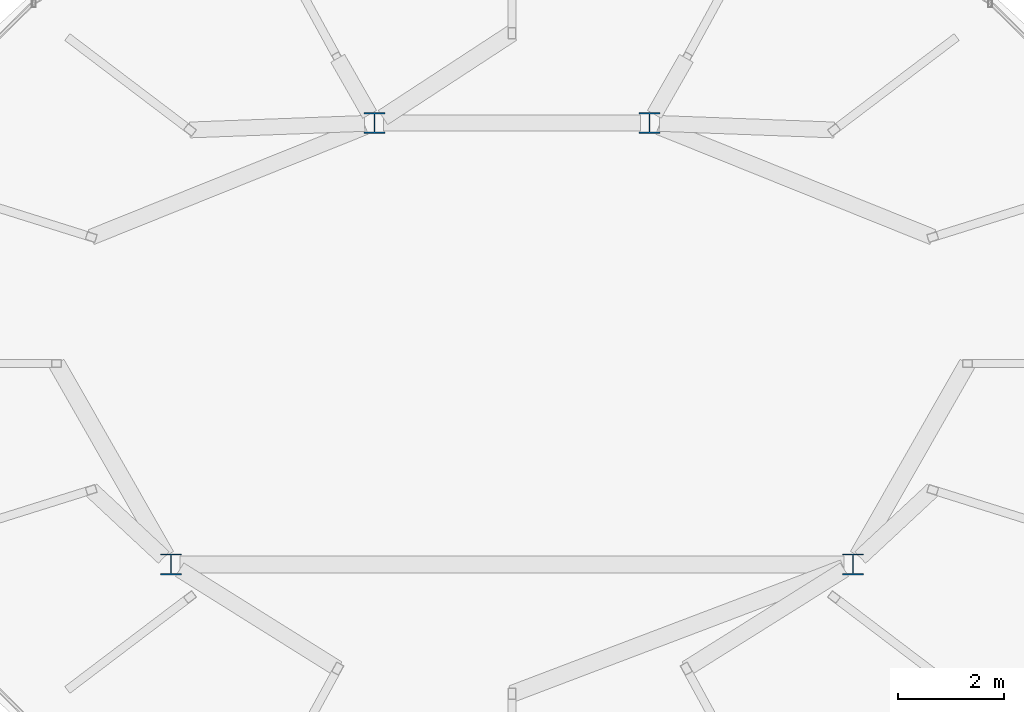
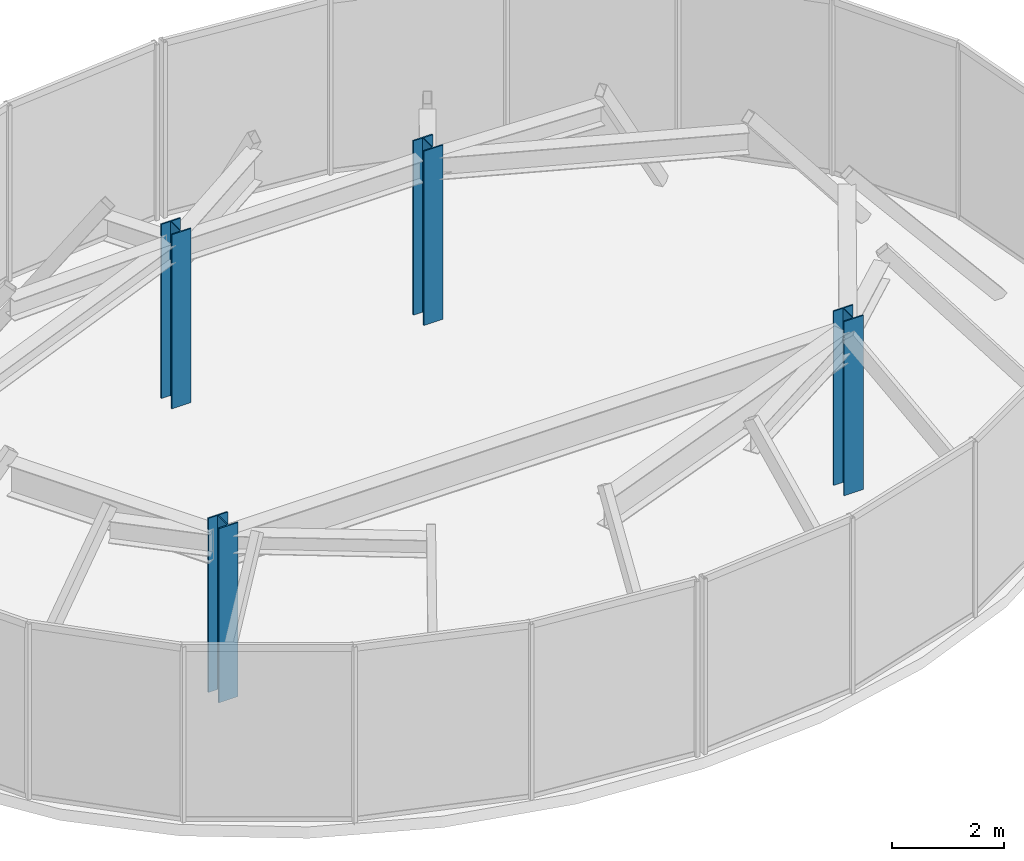
# One storey, part 1 of 10: 4 columns.
"""IFC4 building model written with IfcOpenShell, lengths in metres."""

from ifc_helpers import new_model, si_unit, direction, frame, origin, origin_2d, place, context, subcontext, project, spatial, i_section, extrude, material, material_profile, profile_set, type_object, element, save


model = new_model("IFC4")

# Units and contexts
model_context = context("Model", 3, precision=1e-05, world=origin(), true_north=direction((0.0, 1.0)))
body_context = subcontext(model_context, "Body", "Model", "MODEL_VIEW")
ifc_project = project(units=[si_unit("LENGTHUNIT", "METRE"), si_unit("AREAUNIT", "SQUARE_METRE"), si_unit("VOLUMEUNIT", "CUBIC_METRE"), si_unit("PLANEANGLEUNIT", "RADIAN"), si_unit("MASSUNIT", "GRAM", prefix="KILO")], contexts=[model_context])

# Site, building, storey
site_placement = place(None, origin())
site = spatial("IfcSite", under=ifc_project, at=site_placement, CompositionType="ELEMENT")
building_placement = place(site_placement, origin())
building = spatial("IfcBuilding", under=site, at=building_placement, Name="Vorneva Point Tower", CompositionType="ELEMENT")
storey_placement = place(building_placement, frame((0.0, 0.0, 306.800048828125)))
storey = spatial("IfcBuildingStorey", under=building, at=storey_placement, Name="C04", CompositionType="ELEMENT", Elevation=306.800048828125)

# Columns
ifc_material = material(Name="Steel S355", Category="steel")
ifc_material_profile = material_profile(ifc_material, i_section(OverallWidth=0.39990234375, OverallDepth=0.39990234375, WebThickness=0.01806640625, FlangeThickness=0.028076171875, at=origin_2d()), Name="40K4")
ifc_profile_set = profile_set([ifc_material_profile], Name="Steel S355")
column_type = type_object("IfcColumnType", Name="PIL-STL-40K4", PredefinedType="PILASTER", material=ifc_profile_set)
for number, where, z_axis, x_axis, name in (
    (1, (31.550048828125, 22.199951171875, 0.0), (0.0, 0.0, 1.0), (1.0, 0.0, 0.0), "C04 Core Pilaster CP4"),
    (2, (44.449951171875, 22.199951171875, 0.0), (0.0, 0.0, 1.0), (1.0, 0.0, 0.0), "C04 Core Pilaster CP8"),
    (3, (35.39990234375, 30.550048828125, 0.0), (0.0, 0.0, 1.0), (1.0, 0.0, 0.0), "C04 Core Pilaster CP9"),
    (4, (40.60009765625, 30.550048828125, 0.0), (0.0, 0.0, 1.0), (1.0, 0.0, 0.0), "C04 Core Pilaster CP10"),
):
    element("IfcColumn", number, at=place(storey_placement, frame(where, z_axis=z_axis, x_axis=x_axis)), inside=storey, type_object=column_type, Name=name, PredefinedType="PILASTER", context=body_context, shape_type="SweptSolid", body=[
        extrude(i_section(OverallWidth=0.39990234375, OverallDepth=0.39990234375, WebThickness=0.01806640625, FlangeThickness=0.028076171875, at=origin_2d()), origin(), (0.0, 0.0, 1.0), 3.800048828125),
    ])

save(model, "model.ifc")
